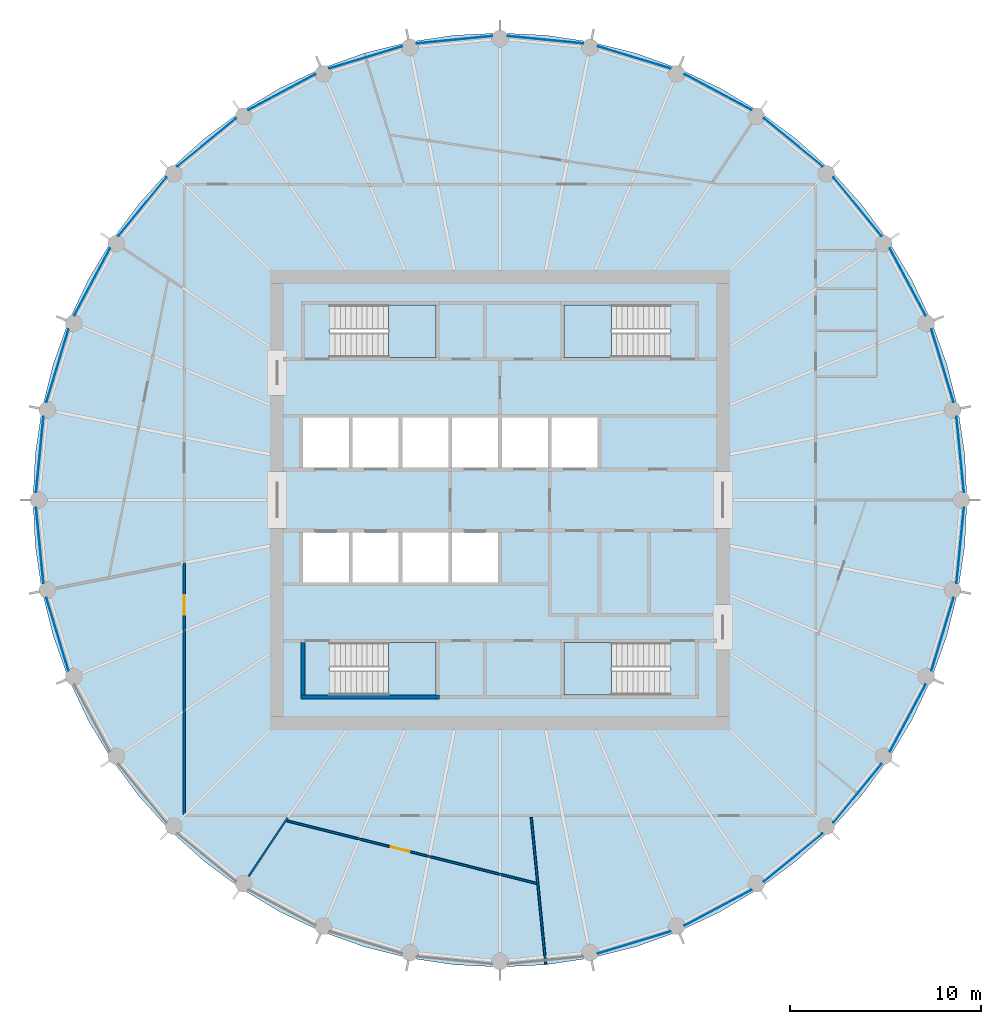
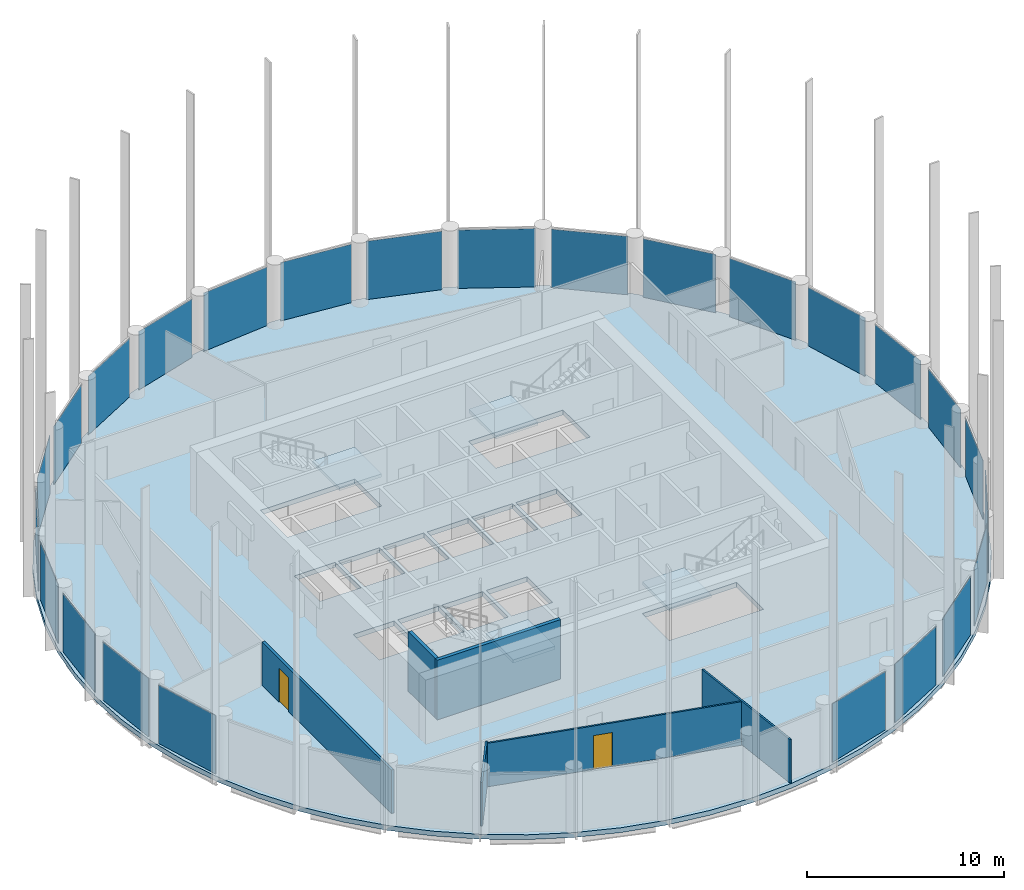
# One storey, part 3 of 7: 25 plates, 6 walls, 5 slabs, 2 doors, 2 openings, 29 elements without a shape of their own.
"""IFC4 building model written with IfcOpenShell, lengths in metres."""

from ifc_helpers import new_model, si_unit, direction, frame, frame_2d, origin, origin_2d, place, context, subcontext, project, spatial, polyline, rectangle, outline, extrude, material, layer, layer_set, type_object, element, fill, aggregate, save


model = new_model("IFC4")

# Units and contexts
model_context = context("Model", 3, precision=1e-05, world=origin(), true_north=direction((0.0, 1.0)))
body_context = subcontext(model_context, "Body", "Model", "MODEL_VIEW")
ifc_project = project(units=[si_unit("LENGTHUNIT", "METRE"), si_unit("AREAUNIT", "SQUARE_METRE"), si_unit("VOLUMEUNIT", "CUBIC_METRE"), si_unit("PLANEANGLEUNIT", "RADIAN"), si_unit("MASSUNIT", "GRAM", prefix="KILO")], contexts=[model_context])

# Site, building, storey
site_placement = place(None, origin())
site = spatial("IfcSite", under=ifc_project, at=site_placement, CompositionType="ELEMENT")
building_placement = place(site_placement, origin())
building = spatial("IfcBuilding", under=site, at=building_placement, Name="Corvane Civic Tower", CompositionType="ELEMENT")
storey_placement = place(building_placement, frame((0.0, 0.0, 295.0)))
storey = spatial("IfcBuildingStorey", under=building, at=storey_placement, Name="L70", CompositionType="ELEMENT", Elevation=295.0)

# Slab
ifc_material_1 = material(Name="Concrete C40/50", Category="concrete")
ifc_layer_1 = layer(ifc_material_1, 0.300048828125)
ifc_layer_set_1 = layer_set([ifc_layer_1], Name="Concrete C40/50")
slab_type_1 = type_object("IfcSlabType", Name="FLOOR SLAB 300", PredefinedType="FLOOR", material=ifc_layer_set_1)
slab_1_placement = place(storey_placement, frame((0.0, 0.0, -0.300048828125)))
element("IfcSlab", 1, at=slab_1_placement, inside=storey, type_object=slab_type_1, Name="SLB-L70", PredefinedType="FLOOR", context=body_context, shape_type="SweptSolid", body=[
    extrude(outline(polyline([(0.0, 24.39990234375), (-2.3916015625, 24.282470703125), (-4.76025390625, 23.93115234375), (-7.0830078125, 23.349365234375), (-9.33740234375, 22.542724609375), (-11.502197265625, 21.518798828125), (-13.555908203125, 20.287841796875), (-15.479248046875, 18.861572265625), (-17.25341796875, 17.25341796875), (-18.861572265625, 15.479248046875), (-20.287841796875, 13.555908203125), (-21.518798828125, 11.502197265625), (-22.542724609375, 9.33740234375), (-23.349365234375, 7.0830078125), (-23.93115234375, 4.76025390625), (-24.282470703125, 2.3916015625), (-24.39990234375, 0.0), (-24.282470703125, -2.3916015625), (-23.93115234375, -4.76025390625), (-23.349365234375, -7.0830078125), (-22.542724609375, -9.33740234375), (-21.518798828125, -11.502197265625), (-20.287841796875, -13.555908203125), (-18.861572265625, -15.479248046875), (-17.25341796875, -17.25341796875), (-15.479248046875, -18.861572265625), (-13.555908203125, -20.287841796875), (-11.502197265625, -21.518798828125), (-9.33740234375, -22.542724609375), (-7.0830078125, -23.349365234375), (-4.76025390625, -23.93115234375), (-2.3916015625, -24.282470703125), (0.0, -24.39990234375), (2.3916015625, -24.282470703125), (4.76025390625, -23.93115234375), (7.0830078125, -23.349365234375), (9.33740234375, -22.542724609375), (11.502197265625, -21.518798828125), (13.555908203125, -20.287841796875), (15.479248046875, -18.861572265625), (17.25341796875, -17.25341796875), (18.861572265625, -15.479248046875), (20.287841796875, -13.555908203125), (21.518798828125, -11.502197265625), (22.542724609375, -9.33740234375), (23.349365234375, -7.0830078125), (23.93115234375, -4.76025390625), (24.282470703125, -2.3916015625), (24.39990234375, 0.0), (24.282470703125, 2.3916015625), (23.93115234375, 4.76025390625), (23.349365234375, 7.0830078125), (22.542724609375, 9.33740234375), (21.518798828125, 11.502197265625), (20.287841796875, 13.555908203125), (18.861572265625, 15.479248046875), (17.25341796875, 17.25341796875), (15.479248046875, 18.861572265625), (13.555908203125, 20.287841796875), (11.502197265625, 21.518798828125), (9.33740234375, 22.542724609375), (7.0830078125, 23.349365234375), (4.76025390625, 23.93115234375), (2.3916015625, 24.282470703125), (0.0, 24.39990234375)]), holes=[polyline([(-10.300048828125, 4.300048828125), (-7.89990234375, 4.300048828125), (-7.89990234375, 1.699951171875), (-10.300048828125, 1.699951171875), (-10.300048828125, 4.300048828125)]), polyline([(-7.699951171875, 4.300048828125), (-5.300048828125, 4.300048828125), (-5.300048828125, 1.699951171875), (-7.699951171875, 1.699951171875), (-7.699951171875, 4.300048828125)]), polyline([(-5.10009765625, 4.300048828125), (-2.699951171875, 4.300048828125), (-2.699951171875, 1.699951171875), (-5.10009765625, 1.699951171875), (-5.10009765625, 4.300048828125)]), polyline([(-2.5, 1.699951171875), (-2.5, 4.300048828125), (-0.10009765625, 4.300048828125), (-0.10009765625, 1.699951171875), (-2.5, 1.699951171875)]), polyline([(0.10009765625, 1.699951171875), (0.10009765625, 4.300048828125), (2.5, 4.300048828125), (2.5, 1.699951171875), (0.10009765625, 1.699951171875)]), polyline([(2.699951171875, 1.699951171875), (2.699951171875, 4.300048828125), (5.10009765625, 4.300048828125), (5.10009765625, 1.699951171875), (2.699951171875, 1.699951171875)]), polyline([(-10.300048828125, -4.300048828125), (-10.300048828125, -1.699951171875), (-7.89990234375, -1.699951171875), (-7.89990234375, -4.300048828125), (-10.300048828125, -4.300048828125)]), polyline([(-7.699951171875, -4.300048828125), (-7.699951171875, -1.699951171875), (-5.300048828125, -1.699951171875), (-5.300048828125, -4.300048828125), (-7.699951171875, -4.300048828125)]), polyline([(-5.10009765625, -4.300048828125), (-5.10009765625, -1.699951171875), (-2.699951171875, -1.699951171875), (-2.699951171875, -4.300048828125), (-5.10009765625, -4.300048828125)]), polyline([(-2.5, -4.300048828125), (-2.5, -1.699951171875), (-0.10009765625, -1.699951171875), (-0.10009765625, -4.300048828125), (-2.5, -4.300048828125)]), polyline([(8.889892578125, 10.199951171875), (8.889892578125, 7.449951171875), (3.35009765625, 7.449951171875), (3.35009765625, 10.199951171875), (8.889892578125, 10.199951171875)]), polyline([(-8.889892578125, 7.449951171875), (-8.889892578125, 10.199951171875), (-3.35009765625, 10.199951171875), (-3.35009765625, 7.449951171875), (-8.889892578125, 7.449951171875)]), polyline([(8.889892578125, -7.449951171875), (8.889892578125, -10.199951171875), (3.35009765625, -10.199951171875), (3.35009765625, -7.449951171875), (8.889892578125, -7.449951171875)]), polyline([(-8.889892578125, -10.199951171875), (-8.889892578125, -7.449951171875), (-3.35009765625, -7.449951171875), (-3.35009765625, -10.199951171875), (-8.889892578125, -10.199951171875)])]), origin(), (0.0, 0.0, 1.0), 0.300048828125),
])

# Stair, slab
ifc_material_2 = material(Name="Concrete C40/50", Category="concrete")
stair_type = type_object("IfcStairType", Name="ST-STAIR-HALFTURN", PredefinedType="HALF_TURN_STAIR", material=ifc_material_2)
stair_1_placement = place(storey_placement, origin())
stair_1 = element("IfcStair", 2, at=stair_1_placement, inside=storey, type_object=stair_type, Name="L70 Exit stair ST1", PredefinedType="HALF_TURN_STAIR")
ifc_material_3 = material(Name="Concrete C40/50", Category="concrete")
ifc_layer_2 = layer(ifc_material_3, 0.199951171875)
ifc_layer_set_2 = layer_set([ifc_layer_2], Name="Concrete C40/50")
slab_type_2 = type_object("IfcSlabType", Name="ST-LANDING-RC", PredefinedType="LANDING", material=ifc_layer_set_2)
slab_2_placement = place(storey_placement, frame((0.0, 0.0, 1.800048828125)))
slab_2 = element("IfcSlab", 3, at=slab_2_placement, type_object=slab_type_2, Name="ST1 landing 1", PredefinedType="LANDING", context=body_context, shape_type="SweptSolid", body=[
    extrude(outline(polyline([(5.820068359375, 10.199951171875), (3.35009765625, 10.199951171875), (3.35009765625, 7.449951171875), (5.820068359375, 7.449951171875), (5.820068359375, 10.199951171875)])), origin(), (0.0, 0.0, 1.0), 0.199951171875),
])
aggregate(stair_1, [slab_2])

stair_2_placement = place(storey_placement, origin())
stair_2 = element("IfcStair", 4, at=stair_2_placement, inside=storey, type_object=stair_type, Name="L70 Exit stair ST2", PredefinedType="HALF_TURN_STAIR")
slab_3_placement = place(storey_placement, frame((0.0, 0.0, 1.800048828125)))
slab_3 = element("IfcSlab", 5, at=slab_3_placement, type_object=slab_type_2, Name="ST2 landing 1", PredefinedType="LANDING", context=body_context, shape_type="SweptSolid", body=[
    extrude(outline(polyline([(5.820068359375, -7.449951171875), (3.35009765625, -7.449951171875), (3.35009765625, -10.199951171875), (5.820068359375, -10.199951171875), (5.820068359375, -7.449951171875)])), origin(), (0.0, 0.0, 1.0), 0.199951171875),
])
aggregate(stair_2, [slab_3])

stair_3_placement = place(storey_placement, origin())
stair_3 = element("IfcStair", 6, at=stair_3_placement, inside=storey, type_object=stair_type, Name="L70 Exit stair ST3", PredefinedType="HALF_TURN_STAIR")
slab_4_placement = place(storey_placement, frame((0.0, 0.0, 1.800048828125)))
slab_4 = element("IfcSlab", 7, at=slab_4_placement, type_object=slab_type_2, Name="ST3 landing 1", PredefinedType="LANDING", context=body_context, shape_type="SweptSolid", body=[
    extrude(outline(polyline([(-5.820068359375, -10.199951171875), (-3.35009765625, -10.199951171875), (-3.35009765625, -7.449951171875), (-5.820068359375, -7.449951171875), (-5.820068359375, -10.199951171875)])), origin(), (0.0, 0.0, 1.0), 0.199951171875),
])
aggregate(stair_3, [slab_4])

stair_4_placement = place(storey_placement, origin())
stair_4 = element("IfcStair", 8, at=stair_4_placement, inside=storey, type_object=stair_type, Name="L70 Exit stair ST4", PredefinedType="HALF_TURN_STAIR")
slab_5_placement = place(storey_placement, frame((0.0, 0.0, 1.800048828125)))
slab_5 = element("IfcSlab", 9, at=slab_5_placement, type_object=slab_type_2, Name="ST4 landing 1", PredefinedType="LANDING", context=body_context, shape_type="SweptSolid", body=[
    extrude(outline(polyline([(-5.820068359375, 7.449951171875), (-3.35009765625, 7.449951171875), (-3.35009765625, 10.199951171875), (-5.820068359375, 10.199951171875), (-5.820068359375, 7.449951171875)])), origin(), (0.0, 0.0, 1.0), 0.199951171875),
])
aggregate(stair_4, [slab_5])

# Curtain wall, plate
ifc_material_4 = material(Name="Anodised aluminium bronze", Category="aluminium")
curtain_wall_type = type_object("IfcCurtainWallType", Name="TOWER CW-T3 STICK CURTAIN WALL", PredefinedType="NOTDEFINED", material=ifc_material_4)
curtain_wall_1_placement = place(storey_placement, origin())
curtain_wall_1 = element("IfcCurtainWall", 10, at=curtain_wall_1_placement, inside=storey, type_object=curtain_wall_type, Name="Curtain wall CW-T3 L70 bay 01", PredefinedType="NOTDEFINED")
ifc_material_5 = material(Name="Tinted glass", Category="glass")
ifc_layer_3 = layer(ifc_material_5, 0.028076171875)
ifc_layer_set_3 = layer_set([ifc_layer_3], Name="Tinted glass")
plate_type = type_object("IfcPlateType", Name="TOWER CW-T3 PANEL IGU28", PredefinedType="CURTAIN_PANEL", material=ifc_layer_set_3)
plate_1_placement = place(storey_placement, frame((2.368408203125, 24.046875, 0.0), z_axis=(0.0, 0.0, 1.0), x_axis=(0.99518437747, -0.098020685775, 0.0)))
plate_1 = element("IfcPlate", 11, at=plate_1_placement, type_object=plate_type, Name="Glass panel CW-T3 L70 01.1", PredefinedType="CURTAIN_PANEL", context=body_context, shape_type="SweptSolid", body=[
    extrude(rectangle(XDim=3.958740234375, YDim=0.028076171875, at=origin_2d()), origin(), (0.0, 0.0, 1.0), 3.6298828125),
])
aggregate(curtain_wall_1, [plate_1])

curtain_wall_2_placement = place(storey_placement, origin())
curtain_wall_2 = element("IfcCurtainWall", 12, at=curtain_wall_2_placement, inside=storey, type_object=curtain_wall_type, Name="Curtain wall CW-T3 L70 bay 02", PredefinedType="NOTDEFINED")
plate_2_placement = place(storey_placement, frame((7.01416015625, 23.12255859375, 0.0), z_axis=(0.0, 0.0, 1.0), x_axis=(0.956943694519, -0.290273604586, 0.0)))
plate_2 = element("IfcPlate", 13, at=plate_2_placement, type_object=plate_type, Name="Glass panel CW-T3 L70 02.1", PredefinedType="CURTAIN_PANEL", context=body_context, shape_type="SweptSolid", body=[
    extrude(rectangle(XDim=3.958984375, YDim=0.028076171875, at=origin_2d()), origin(), (0.0, 0.0, 1.0), 3.6298828125),
])
aggregate(curtain_wall_2, [plate_2])

curtain_wall_3_placement = place(storey_placement, origin())
curtain_wall_3 = element("IfcCurtainWall", 14, at=curtain_wall_3_placement, inside=storey, type_object=curtain_wall_type, Name="Curtain wall CW-T3 L70 bay 03", PredefinedType="NOTDEFINED")
plate_3_placement = place(storey_placement, frame((11.390380859375, 21.31005859375, 0.0), z_axis=(0.0, 0.0, 1.0), x_axis=(0.881908138655, -0.471421292448, 0.0)))
plate_3 = element("IfcPlate", 15, at=plate_3_placement, type_object=plate_type, Name="Glass panel CW-T3 L70 03.1", PredefinedType="CURTAIN_PANEL", context=body_context, shape_type="SweptSolid", body=[
    extrude(rectangle(XDim=3.958740234375, YDim=0.028076171875, at=origin_2d()), origin(), (0.0, 0.0, 1.0), 3.6298828125),
])
aggregate(curtain_wall_3, [plate_3])

curtain_wall_4_placement = place(storey_placement, origin())
curtain_wall_4 = element("IfcCurtainWall", 16, at=curtain_wall_4_placement, inside=storey, type_object=curtain_wall_type, Name="Curtain wall CW-T3 L70 bay 04", PredefinedType="NOTDEFINED")
plate_4_placement = place(storey_placement, frame((15.328857421875, 18.67822265625, 0.0), z_axis=(0.0, 0.0, 1.0), x_axis=(0.773001130565, -0.634404643855, 0.0)))
plate_4 = element("IfcPlate", 17, at=plate_4_placement, type_object=plate_type, Name="Glass panel CW-T3 L70 04.1", PredefinedType="CURTAIN_PANEL", context=body_context, shape_type="SweptSolid", body=[
    extrude(rectangle(XDim=3.958740234375, YDim=0.028076171875, at=origin_2d()), origin(), (0.0, 0.0, 1.0), 3.6298828125),
])
aggregate(curtain_wall_4, [plate_4])

curtain_wall_5_placement = place(storey_placement, origin())
curtain_wall_5 = element("IfcCurtainWall", 18, at=curtain_wall_5_placement, inside=storey, type_object=curtain_wall_type, Name="Curtain wall CW-T3 L70 bay 05", PredefinedType="NOTDEFINED")
plate_5_placement = place(storey_placement, frame((18.67822265625, 15.328857421875, 0.0), z_axis=(0.0, 0.0, 1.0), x_axis=(0.634404643855, -0.773001130565, 0.0)))
plate_5 = element("IfcPlate", 19, at=plate_5_placement, type_object=plate_type, Name="Glass panel CW-T3 L70 05.1", PredefinedType="CURTAIN_PANEL", context=body_context, shape_type="SweptSolid", body=[
    extrude(rectangle(XDim=3.958740234375, YDim=0.028076171875, at=origin_2d()), origin(), (0.0, 0.0, 1.0), 3.6298828125),
])
aggregate(curtain_wall_5, [plate_5])

curtain_wall_6_placement = place(storey_placement, origin())
curtain_wall_6 = element("IfcCurtainWall", 20, at=curtain_wall_6_placement, inside=storey, type_object=curtain_wall_type, Name="Curtain wall CW-T3 L70 bay 06", PredefinedType="NOTDEFINED")
plate_6_placement = place(storey_placement, frame((21.31005859375, 11.390380859375, 0.0), z_axis=(0.0, 0.0, 1.0), x_axis=(0.471421292448, -0.881908138655, 0.0)))
plate_6 = element("IfcPlate", 21, at=plate_6_placement, type_object=plate_type, Name="Glass panel CW-T3 L70 06.1", PredefinedType="CURTAIN_PANEL", context=body_context, shape_type="SweptSolid", body=[
    extrude(rectangle(XDim=3.958740234375, YDim=0.028076171875, at=origin_2d()), origin(), (0.0, 0.0, 1.0), 3.6298828125),
])
aggregate(curtain_wall_6, [plate_6])

curtain_wall_7_placement = place(storey_placement, origin())
curtain_wall_7 = element("IfcCurtainWall", 22, at=curtain_wall_7_placement, inside=storey, type_object=curtain_wall_type, Name="Curtain wall CW-T3 L70 bay 07", PredefinedType="NOTDEFINED")
plate_7_placement = place(storey_placement, frame((23.12255859375, 7.01416015625, 0.0), z_axis=(0.0, 0.0, 1.0), x_axis=(0.290273604586, -0.956943694519, 0.0)))
plate_7 = element("IfcPlate", 23, at=plate_7_placement, type_object=plate_type, Name="Glass panel CW-T3 L70 07.1", PredefinedType="CURTAIN_PANEL", context=body_context, shape_type="SweptSolid", body=[
    extrude(rectangle(XDim=3.958984375, YDim=0.028076171875, at=origin_2d()), origin(), (0.0, 0.0, 1.0), 3.6298828125),
])
aggregate(curtain_wall_7, [plate_7])

curtain_wall_8_placement = place(storey_placement, origin())
curtain_wall_8 = element("IfcCurtainWall", 24, at=curtain_wall_8_placement, inside=storey, type_object=curtain_wall_type, Name="Curtain wall CW-T3 L70 bay 08", PredefinedType="NOTDEFINED")
plate_8_placement = place(storey_placement, frame((24.046875, 2.368408203125, 0.0), z_axis=(0.0, 0.0, 1.0), x_axis=(0.098020685775, -0.99518437747, 0.0)))
plate_8 = element("IfcPlate", 25, at=plate_8_placement, type_object=plate_type, Name="Glass panel CW-T3 L70 08.1", PredefinedType="CURTAIN_PANEL", context=body_context, shape_type="SweptSolid", body=[
    extrude(rectangle(XDim=3.958740234375, YDim=0.028076171875, at=origin_2d()), origin(), (0.0, 0.0, 1.0), 3.6298828125),
])
aggregate(curtain_wall_8, [plate_8])

curtain_wall_9_placement = place(storey_placement, origin())
curtain_wall_9 = element("IfcCurtainWall", 26, at=curtain_wall_9_placement, inside=storey, type_object=curtain_wall_type, Name="Curtain wall CW-T3 L70 bay 09", PredefinedType="NOTDEFINED")
plate_9_placement = place(storey_placement, frame((24.046875, -2.368408203125, 0.0), z_axis=(0.0, 0.0, 1.0), x_axis=(-0.098020685775, -0.99518437747, 0.0)))
plate_9 = element("IfcPlate", 27, at=plate_9_placement, type_object=plate_type, Name="Glass panel CW-T3 L70 09.1", PredefinedType="CURTAIN_PANEL", context=body_context, shape_type="SweptSolid", body=[
    extrude(rectangle(XDim=3.958740234375, YDim=0.028076171875, at=origin_2d()), origin(), (0.0, 0.0, 1.0), 3.6298828125),
])
aggregate(curtain_wall_9, [plate_9])

curtain_wall_10_placement = place(storey_placement, origin())
curtain_wall_10 = element("IfcCurtainWall", 28, at=curtain_wall_10_placement, inside=storey, type_object=curtain_wall_type, Name="Curtain wall CW-T3 L70 bay 10", PredefinedType="NOTDEFINED")
plate_10_placement = place(storey_placement, frame((23.12255859375, -7.01416015625, 0.0), z_axis=(0.0, 0.0, 1.0), x_axis=(-0.290273604586, -0.956943694519, 0.0)))
plate_10 = element("IfcPlate", 29, at=plate_10_placement, type_object=plate_type, Name="Glass panel CW-T3 L70 10.1", PredefinedType="CURTAIN_PANEL", context=body_context, shape_type="SweptSolid", body=[
    extrude(rectangle(XDim=3.958984375, YDim=0.028076171875, at=origin_2d()), origin(), (0.0, 0.0, 1.0), 3.6298828125),
])
aggregate(curtain_wall_10, [plate_10])

curtain_wall_11_placement = place(storey_placement, origin())
curtain_wall_11 = element("IfcCurtainWall", 30, at=curtain_wall_11_placement, inside=storey, type_object=curtain_wall_type, Name="Curtain wall CW-T3 L70 bay 11", PredefinedType="NOTDEFINED")
plate_11_placement = place(storey_placement, frame((21.31005859375, -11.390380859375, 0.0), z_axis=(0.0, 0.0, 1.0), x_axis=(-0.471421292448, -0.881908138655, 0.0)))
plate_11 = element("IfcPlate", 31, at=plate_11_placement, type_object=plate_type, Name="Glass panel CW-T3 L70 11.1", PredefinedType="CURTAIN_PANEL", context=body_context, shape_type="SweptSolid", body=[
    extrude(rectangle(XDim=3.958740234375, YDim=0.028076171875, at=origin_2d()), origin(), (0.0, 0.0, 1.0), 3.6298828125),
])
aggregate(curtain_wall_11, [plate_11])

curtain_wall_12_placement = place(storey_placement, origin())
curtain_wall_12 = element("IfcCurtainWall", 32, at=curtain_wall_12_placement, inside=storey, type_object=curtain_wall_type, Name="Curtain wall CW-T3 L70 bay 12", PredefinedType="NOTDEFINED")
plate_12_placement = place(storey_placement, frame((18.67822265625, -15.328857421875, 0.0), z_axis=(0.0, 0.0, 1.0), x_axis=(-0.634404643855, -0.773001130565, 0.0)))
plate_12 = element("IfcPlate", 33, at=plate_12_placement, type_object=plate_type, Name="Glass panel CW-T3 L70 12.1", PredefinedType="CURTAIN_PANEL", context=body_context, shape_type="SweptSolid", body=[
    extrude(rectangle(XDim=3.958740234375, YDim=0.028076171875, at=origin_2d()), origin(), (0.0, 0.0, 1.0), 3.6298828125),
])
aggregate(curtain_wall_12, [plate_12])

curtain_wall_13_placement = place(storey_placement, origin())
curtain_wall_13 = element("IfcCurtainWall", 34, at=curtain_wall_13_placement, inside=storey, type_object=curtain_wall_type, Name="Curtain wall CW-T3 L70 bay 13", PredefinedType="NOTDEFINED")
plate_13_placement = place(storey_placement, frame((15.328857421875, -18.67822265625, 0.0), z_axis=(0.0, 0.0, 1.0), x_axis=(-0.773001130565, -0.634404643855, 0.0)))
plate_13 = element("IfcPlate", 35, at=plate_13_placement, type_object=plate_type, Name="Glass panel CW-T3 L70 13.1", PredefinedType="CURTAIN_PANEL", context=body_context, shape_type="SweptSolid", body=[
    extrude(rectangle(XDim=3.958740234375, YDim=0.028076171875, at=origin_2d()), origin(), (0.0, 0.0, 1.0), 3.6298828125),
])
aggregate(curtain_wall_13, [plate_13])

curtain_wall_14_placement = place(storey_placement, origin())
curtain_wall_14 = element("IfcCurtainWall", 36, at=curtain_wall_14_placement, inside=storey, type_object=curtain_wall_type, Name="Curtain wall CW-T3 L70 bay 14", PredefinedType="NOTDEFINED")
plate_14_placement = place(storey_placement, frame((11.390380859375, -21.31005859375, 0.0), z_axis=(0.0, 0.0, 1.0), x_axis=(-0.881908138655, -0.471421292448, 0.0)))
plate_14 = element("IfcPlate", 37, at=plate_14_placement, type_object=plate_type, Name="Glass panel CW-T3 L70 14.1", PredefinedType="CURTAIN_PANEL", context=body_context, shape_type="SweptSolid", body=[
    extrude(rectangle(XDim=3.958740234375, YDim=0.028076171875, at=origin_2d()), origin(), (0.0, 0.0, 1.0), 3.6298828125),
])
aggregate(curtain_wall_14, [plate_14])

curtain_wall_15_placement = place(storey_placement, origin())
curtain_wall_15 = element("IfcCurtainWall", 38, at=curtain_wall_15_placement, inside=storey, type_object=curtain_wall_type, Name="Curtain wall CW-T3 L70 bay 15", PredefinedType="NOTDEFINED")
plate_15_placement = place(storey_placement, frame((7.01416015625, -23.12255859375, 0.0), z_axis=(0.0, 0.0, 1.0), x_axis=(-0.956943694519, -0.290273604586, 0.0)))
plate_15 = element("IfcPlate", 39, at=plate_15_placement, type_object=plate_type, Name="Glass panel CW-T3 L70 15.1", PredefinedType="CURTAIN_PANEL", context=body_context, shape_type="SweptSolid", body=[
    extrude(rectangle(XDim=3.958984375, YDim=0.028076171875, at=origin_2d()), origin(), (0.0, 0.0, 1.0), 3.6298828125),
])
aggregate(curtain_wall_15, [plate_15])

curtain_wall_16_placement = place(storey_placement, origin())
curtain_wall_16 = element("IfcCurtainWall", 40, at=curtain_wall_16_placement, inside=storey, type_object=curtain_wall_type, Name="Curtain wall CW-T3 L70 bay 23", PredefinedType="NOTDEFINED")
plate_16_placement = place(storey_placement, frame((-23.12255859375, -7.01416015625, 0.0), z_axis=(0.0, 0.0, 1.0), x_axis=(-0.290273604586, 0.956943694519, 0.0)))
plate_16 = element("IfcPlate", 41, at=plate_16_placement, type_object=plate_type, Name="Glass panel CW-T3 L70 23.1", PredefinedType="CURTAIN_PANEL", context=body_context, shape_type="SweptSolid", body=[
    extrude(rectangle(XDim=3.958984375, YDim=0.028076171875, at=origin_2d()), origin(), (0.0, 0.0, 1.0), 3.6298828125),
])
aggregate(curtain_wall_16, [plate_16])

curtain_wall_17_placement = place(storey_placement, origin())
curtain_wall_17 = element("IfcCurtainWall", 42, at=curtain_wall_17_placement, inside=storey, type_object=curtain_wall_type, Name="Curtain wall CW-T3 L70 bay 24", PredefinedType="NOTDEFINED")
plate_17_placement = place(storey_placement, frame((-24.046875, -2.368408203125, 0.0), z_axis=(0.0, 0.0, 1.0), x_axis=(-0.098020685775, 0.99518437747, 0.0)))
plate_17 = element("IfcPlate", 43, at=plate_17_placement, type_object=plate_type, Name="Glass panel CW-T3 L70 24.1", PredefinedType="CURTAIN_PANEL", context=body_context, shape_type="SweptSolid", body=[
    extrude(rectangle(XDim=3.958740234375, YDim=0.028076171875, at=origin_2d()), origin(), (0.0, 0.0, 1.0), 3.6298828125),
])
aggregate(curtain_wall_17, [plate_17])

curtain_wall_18_placement = place(storey_placement, origin())
curtain_wall_18 = element("IfcCurtainWall", 44, at=curtain_wall_18_placement, inside=storey, type_object=curtain_wall_type, Name="Curtain wall CW-T3 L70 bay 25", PredefinedType="NOTDEFINED")
plate_18_placement = place(storey_placement, frame((-24.046875, 2.368408203125, 0.0), z_axis=(0.0, 0.0, 1.0), x_axis=(0.098020685775, 0.99518437747, 0.0)))
plate_18 = element("IfcPlate", 45, at=plate_18_placement, type_object=plate_type, Name="Glass panel CW-T3 L70 25.1", PredefinedType="CURTAIN_PANEL", context=body_context, shape_type="SweptSolid", body=[
    extrude(rectangle(XDim=3.958740234375, YDim=0.028076171875, at=origin_2d()), origin(), (0.0, 0.0, 1.0), 3.6298828125),
])
aggregate(curtain_wall_18, [plate_18])

curtain_wall_19_placement = place(storey_placement, origin())
curtain_wall_19 = element("IfcCurtainWall", 46, at=curtain_wall_19_placement, inside=storey, type_object=curtain_wall_type, Name="Curtain wall CW-T3 L70 bay 26", PredefinedType="NOTDEFINED")
plate_19_placement = place(storey_placement, frame((-23.12255859375, 7.01416015625, 0.0), z_axis=(0.0, 0.0, 1.0), x_axis=(0.290273604586, 0.956943694519, 0.0)))
plate_19 = element("IfcPlate", 47, at=plate_19_placement, type_object=plate_type, Name="Glass panel CW-T3 L70 26.1", PredefinedType="CURTAIN_PANEL", context=body_context, shape_type="SweptSolid", body=[
    extrude(rectangle(XDim=3.958984375, YDim=0.028076171875, at=origin_2d()), origin(), (0.0, 0.0, 1.0), 3.6298828125),
])
aggregate(curtain_wall_19, [plate_19])

curtain_wall_20_placement = place(storey_placement, origin())
curtain_wall_20 = element("IfcCurtainWall", 48, at=curtain_wall_20_placement, inside=storey, type_object=curtain_wall_type, Name="Curtain wall CW-T3 L70 bay 27", PredefinedType="NOTDEFINED")
plate_20_placement = place(storey_placement, frame((-21.31005859375, 11.390380859375, 0.0), z_axis=(0.0, 0.0, 1.0), x_axis=(0.471421292448, 0.881908138655, 0.0)))
plate_20 = element("IfcPlate", 49, at=plate_20_placement, type_object=plate_type, Name="Glass panel CW-T3 L70 27.1", PredefinedType="CURTAIN_PANEL", context=body_context, shape_type="SweptSolid", body=[
    extrude(rectangle(XDim=3.958740234375, YDim=0.028076171875, at=origin_2d()), origin(), (0.0, 0.0, 1.0), 3.6298828125),
])
aggregate(curtain_wall_20, [plate_20])

curtain_wall_21_placement = place(storey_placement, origin())
curtain_wall_21 = element("IfcCurtainWall", 50, at=curtain_wall_21_placement, inside=storey, type_object=curtain_wall_type, Name="Curtain wall CW-T3 L70 bay 28", PredefinedType="NOTDEFINED")
plate_21_placement = place(storey_placement, frame((-18.67822265625, 15.328857421875, 0.0), z_axis=(0.0, 0.0, 1.0), x_axis=(0.634404643855, 0.773001130565, 0.0)))
plate_21 = element("IfcPlate", 51, at=plate_21_placement, type_object=plate_type, Name="Glass panel CW-T3 L70 28.1", PredefinedType="CURTAIN_PANEL", context=body_context, shape_type="SweptSolid", body=[
    extrude(rectangle(XDim=3.958740234375, YDim=0.028076171875, at=origin_2d()), origin(), (0.0, 0.0, 1.0), 3.6298828125),
])
aggregate(curtain_wall_21, [plate_21])

curtain_wall_22_placement = place(storey_placement, origin())
curtain_wall_22 = element("IfcCurtainWall", 52, at=curtain_wall_22_placement, inside=storey, type_object=curtain_wall_type, Name="Curtain wall CW-T3 L70 bay 29", PredefinedType="NOTDEFINED")
plate_22_placement = place(storey_placement, frame((-15.328857421875, 18.67822265625, 0.0), z_axis=(0.0, 0.0, 1.0), x_axis=(0.773001130565, 0.634404643855, 0.0)))
plate_22 = element("IfcPlate", 53, at=plate_22_placement, type_object=plate_type, Name="Glass panel CW-T3 L70 29.1", PredefinedType="CURTAIN_PANEL", context=body_context, shape_type="SweptSolid", body=[
    extrude(rectangle(XDim=3.958740234375, YDim=0.028076171875, at=origin_2d()), origin(), (0.0, 0.0, 1.0), 3.6298828125),
])
aggregate(curtain_wall_22, [plate_22])

curtain_wall_23_placement = place(storey_placement, origin())
curtain_wall_23 = element("IfcCurtainWall", 54, at=curtain_wall_23_placement, inside=storey, type_object=curtain_wall_type, Name="Curtain wall CW-T3 L70 bay 30", PredefinedType="NOTDEFINED")
plate_23_placement = place(storey_placement, frame((-11.390380859375, 21.31005859375, 0.0), z_axis=(0.0, 0.0, 1.0), x_axis=(0.881908138655, 0.471421292448, 0.0)))
plate_23 = element("IfcPlate", 55, at=plate_23_placement, type_object=plate_type, Name="Glass panel CW-T3 L70 30.1", PredefinedType="CURTAIN_PANEL", context=body_context, shape_type="SweptSolid", body=[
    extrude(rectangle(XDim=3.958740234375, YDim=0.028076171875, at=origin_2d()), origin(), (0.0, 0.0, 1.0), 3.6298828125),
])
aggregate(curtain_wall_23, [plate_23])

curtain_wall_24_placement = place(storey_placement, origin())
curtain_wall_24 = element("IfcCurtainWall", 56, at=curtain_wall_24_placement, inside=storey, type_object=curtain_wall_type, Name="Curtain wall CW-T3 L70 bay 31", PredefinedType="NOTDEFINED")
plate_24_placement = place(storey_placement, frame((-7.01416015625, 23.12255859375, 0.0), z_axis=(0.0, 0.0, 1.0), x_axis=(0.956943694519, 0.290273604586, 0.0)))
plate_24 = element("IfcPlate", 57, at=plate_24_placement, type_object=plate_type, Name="Glass panel CW-T3 L70 31.1", PredefinedType="CURTAIN_PANEL", context=body_context, shape_type="SweptSolid", body=[
    extrude(rectangle(XDim=3.958984375, YDim=0.028076171875, at=origin_2d()), origin(), (0.0, 0.0, 1.0), 3.6298828125),
])
aggregate(curtain_wall_24, [plate_24])

curtain_wall_25_placement = place(storey_placement, origin())
curtain_wall_25 = element("IfcCurtainWall", 58, at=curtain_wall_25_placement, inside=storey, type_object=curtain_wall_type, Name="Curtain wall CW-T3 L70 bay 32", PredefinedType="NOTDEFINED")
plate_25_placement = place(storey_placement, frame((-2.368408203125, 24.046875, 0.0), z_axis=(0.0, 0.0, 1.0), x_axis=(0.99518437747, 0.098020685775, 0.0)))
plate_25 = element("IfcPlate", 59, at=plate_25_placement, type_object=plate_type, Name="Glass panel CW-T3 L70 32.1", PredefinedType="CURTAIN_PANEL", context=body_context, shape_type="SweptSolid", body=[
    extrude(rectangle(XDim=3.958740234375, YDim=0.028076171875, at=origin_2d()), origin(), (0.0, 0.0, 1.0), 3.6298828125),
])
aggregate(curtain_wall_25, [plate_25])

# Wall
ifc_material_6 = material(Name="Plasterboard")
ifc_layer_4 = layer(ifc_material_6, 0.10009765625)
ifc_layer_set_4 = layer_set([ifc_layer_4], Name="Plasterboard")
wall_type_1 = type_object("IfcWallType", Name="Partition 100 plasterboard on studs", PredefinedType="PARTITIONING", material=ifc_layer_set_4)
wall_1_placement = place(storey_placement, frame((1.633056640625, -16.579833984375, 0.0), z_axis=(0.0, 0.0, 1.0), x_axis=(0.098004248276, -0.995185996344, 0.0)))
element("IfcWall", 60, at=wall_1_placement, inside=storey, type_object=wall_type_1, Name="Partition L70.001", PredefinedType="PARTITIONING", context=body_context, shape_type="SweptSolid", body=[
    extrude(rectangle(XDim=7.690185546875, YDim=0.10009765625, at=frame_2d((3.84521484375, 0.0))), origin(), (0.0, 0.0, 1.0), 2.699951171875),
])

# Wall, opening, door
wall_2_placement = place(storey_placement, frame((-11.123291015625, -16.767333984375, 0.0), z_axis=(0.0, 0.0, 1.0), x_axis=(0.970030129031, -0.24298466777, 0.0)))
wall_2 = element("IfcWall", 61, at=wall_2_placement, inside=storey, type_object=wall_type_1, Name="Partition L70.002", PredefinedType="PARTITIONING", context=body_context, shape_type="SweptSolid", body=[
    extrude(rectangle(XDim=13.431640625, YDim=0.10009765625, at=frame_2d((6.7158203125, 0.0))), origin(), (0.0, 0.0, 1.0), 2.699951171875),
])
opening_1_placement = place(wall_2_placement, frame((5.593017578125, 0.0, 0.0)))
opening_1 = element("IfcOpeningElement", 62, at=opening_1_placement, cuts=wall_2, Name="Opening L70.008", PredefinedType="OPENING", context=body_context, shape_type="SweptSolid", body=[
    extrude(rectangle(XDim=1.0, YDim=2.10009765625, at=frame_2d((0.5, 1.050048828125))), frame((0.0, 0.06005859375, 0.0), z_axis=(0.0, -1.0, 0.0), x_axis=(1.0, 0.0, 0.0)), (0.0, 0.0, 1.0), 0.1201171875),
])
ifc_material_7 = material(Name="Timber", Category="wood")
door_type_1 = type_object("IfcDoorType", Name="Single door 1000", OperationType="NOTDEFINED", PredefinedType="DOOR", material=ifc_material_7)
door_1_placement = place(opening_1_placement, frame((1.0, 0.0, 0.0), z_axis=(0.0, 0.0, 1.0), x_axis=(-1.0, 0.0, 0.0)))
door_1 = element("IfcDoor", 63, at=door_1_placement, inside=storey, type_object=door_type_1, Name="Door L70.008", OperationType="SINGLE_SWING_LEFT", OverallHeight=2.10009765625, OverallWidth=1.0, PredefinedType="DOOR", context=body_context, shape_type="SweptSolid", body=[
    extrude(rectangle(XDim=1.0, YDim=2.10009765625, at=frame_2d((0.5, 1.050048828125))), frame((0.0, 0.02490234375, 0.0), z_axis=(0.0, -1.0, 0.0), x_axis=(1.0, 0.0, 0.0)), (0.0, 0.0, 1.0), 0.050048828125),
])
fill(opening_1, door_1)

# Walls
wall_3_placement = place(storey_placement, frame((-13.133544921875, -19.656005859375, 0.0), z_axis=(0.0, 0.0, 1.0), x_axis=(0.555559107402, 0.831477046095, 0.0)))
element("IfcWall", 64, at=wall_3_placement, inside=storey, type_object=wall_type_1, Name="Partition L70.003", PredefinedType="PARTITIONING", context=body_context, shape_type="SweptSolid", body=[
    extrude(rectangle(XDim=3.672119140625, YDim=0.10009765625, at=frame_2d((1.8359375, 0.0))), origin(), (0.0, 0.0, 1.0), 2.699951171875),
])
ifc_material_8 = material(Name="Concrete C50/60", Category="concrete")
ifc_layer_5 = layer(ifc_material_8, 0.199951171875)
ifc_layer_set_5 = layer_set([ifc_layer_5], Name="Concrete C50/60")
wall_type_2 = type_object("IfcWallType", Name="ST-WALL-200", PredefinedType="SHEAR", material=ifc_layer_set_5)
wall_4_placement = place(storey_placement, origin())
element("IfcWall", 65, at=wall_4_placement, inside=storey, type_object=wall_type_2, Name="L70 stair enclosure wall", PredefinedType="SHEAR", context=body_context, shape_type="SweptSolid", body=[
    extrude(outline(polyline([(-3.14990234375, -10.199951171875), (-3.14990234375, -10.39990234375), (-10.39990234375, -10.39990234375), (-10.39990234375, -10.199951171875), (-3.14990234375, -10.199951171875)])), origin(), (0.0, 0.0, 1.0), 3.699951171875),
])
wall_5_placement = place(storey_placement, origin())
element("IfcWall", 66, at=wall_5_placement, inside=storey, type_object=wall_type_2, Name="L70 stair enclosure wall", PredefinedType="SHEAR", context=body_context, shape_type="SweptSolid", body=[
    extrude(outline(polyline([(-10.199951171875, -7.449951171875), (-10.199951171875, -10.199951171875), (-10.39990234375, -10.199951171875), (-10.39990234375, -7.449951171875), (-10.199951171875, -7.449951171875)])), origin(), (0.0, 0.0, 1.0), 3.699951171875),
])

# Wall, opening, door
ifc_material_9 = material(Name="Plasterboard")
ifc_layer_6 = layer(ifc_material_9, 0.14990234375)
ifc_layer_set_6 = layer_set([ifc_layer_6], Name="Plasterboard")
wall_type_3 = type_object("IfcWallType", Name="Tenancy wall 150 EI 60", PredefinedType="PARTITIONING", material=ifc_layer_set_6)
wall_6_placement = place(storey_placement, frame((-16.5, -16.425048828125, 0.0), z_axis=(0.0, 0.0, 1.0), x_axis=(0.0, 1.0, 0.0)))
wall_6 = element("IfcWall", 67, at=wall_6_placement, inside=storey, type_object=wall_type_3, Name="Partition L70.005", PredefinedType="PARTITIONING", context=body_context, shape_type="SweptSolid", body=[
    extrude(rectangle(XDim=13.14306640625, YDim=0.14990234375, at=frame_2d((6.571533203125, 0.0))), origin(), (0.0, 0.0, 1.0), 2.699951171875),
])
opening_2_placement = place(wall_6_placement, frame((10.4384765625, 0.0, 0.0)))
opening_2 = element("IfcOpeningElement", 68, at=opening_2_placement, cuts=wall_6, Name="Opening L70.010", PredefinedType="OPENING", context=body_context, shape_type="SweptSolid", body=[
    extrude(rectangle(XDim=1.0, YDim=2.10009765625, at=frame_2d((0.5, 1.050048828125))), frame((0.0, 0.0849609375, 0.0), z_axis=(0.0, -1.0, 0.0), x_axis=(1.0, 0.0, 0.0)), (0.0, 0.0, 1.0), 0.169921875),
])
ifc_material_10 = material(Name="Steel and timber", Category="steel")
door_type_2 = type_object("IfcDoorType", Name="Fire door FD30S 1000", OperationType="NOTDEFINED", PredefinedType="DOOR", material=ifc_material_10)
door_2_placement = place(opening_2_placement, origin())
door_2 = element("IfcDoor", 69, at=door_2_placement, inside=storey, type_object=door_type_2, Name="Door L70.010", OperationType="SINGLE_SWING_RIGHT", OverallHeight=2.10009765625, OverallWidth=1.0, PredefinedType="DOOR", context=body_context, shape_type="SweptSolid", body=[
    extrude(rectangle(XDim=1.0, YDim=2.10009765625, at=frame_2d((0.5, 1.050048828125))), frame((0.0, 0.02490234375, 0.0), z_axis=(0.0, -1.0, 0.0), x_axis=(1.0, 0.0, 0.0)), (0.0, 0.0, 1.0), 0.050048828125),
])
fill(opening_2, door_2)

save(model, "model.ifc")
